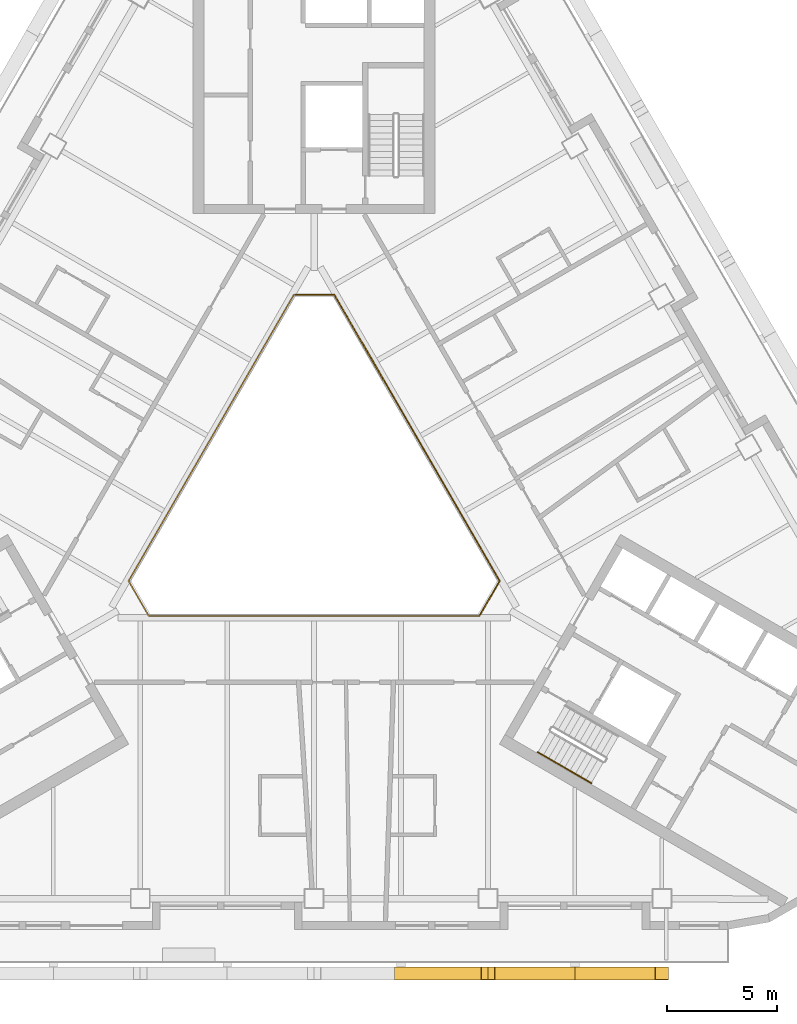
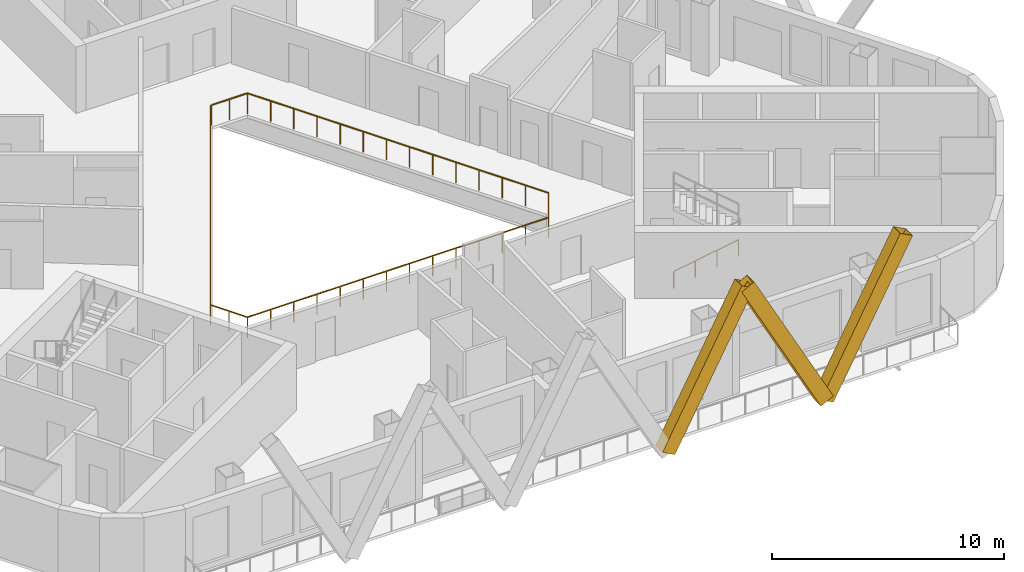
# One storey, part 11 of 14: 3 railings, 3 shading devices.
"""IFC4 building model written with IfcOpenShell, lengths in metres."""

from ifc_helpers import new_model, si_unit, direction, frame, origin, origin_2d, place, context, subcontext, project, spatial, rectangle, hollow_rectangle, circle, extrude, material, material_profile, profile_set, type_object, element, save


model = new_model("IFC4")

# Units and contexts
model_context = context("Model", 3, precision=1e-05, world=origin(), true_north=direction((0.0, 1.0)))
body_context = subcontext(model_context, "Body", "Model", "MODEL_VIEW")
ifc_project = project(units=[si_unit("LENGTHUNIT", "METRE"), si_unit("AREAUNIT", "SQUARE_METRE"), si_unit("VOLUMEUNIT", "CUBIC_METRE"), si_unit("PLANEANGLEUNIT", "RADIAN"), si_unit("MASSUNIT", "GRAM", prefix="KILO")], contexts=[model_context])

# Site, building, storey
site_placement = place(None, origin())
site = spatial("IfcSite", under=ifc_project, at=site_placement, CompositionType="ELEMENT")
building_placement = place(site_placement, origin())
building = spatial("IfcBuilding", under=site, at=building_placement, Name="Apuvela Tower Hotel", CompositionType="ELEMENT")
storey_placement = place(building_placement, frame((0.0, 0.0, 113.10009765625)))
storey = spatial("IfcBuildingStorey", under=building, at=storey_placement, Name="L26", CompositionType="ELEMENT", Elevation=113.10009765625)

# Railing
ifc_material_1 = material(Name="Stainless steel 316 handrail", Category="steel")
railing_type_1 = type_object("IfcRailingType", Name="COR-HANDRAIL-900", PredefinedType="HANDRAIL", material=ifc_material_1)
railing_1_placement = place(storey_placement, frame((10.1689453125, -11.5869140625, 0.16796875)))
element("IfcRailing", 1, at=railing_1_placement, inside=storey, type_object=railing_type_1, Name="L26 ST3 stair handrail 1", PredefinedType="HANDRAIL", context=body_context, shape_type="SweptSolid", body=[
    extrude(circle(Radius=0.02392578125, at=origin_2d()), frame((0.0, 0.0, 0.8759765625), z_axis=(0.742390482028, -0.42860119049, 0.514934356695), x_axis=(0.49998411664, 0.866034573852, 0.0)), (0.0, 0.0, 1.0), 3.26611328125),
    extrude(rectangle(XDim=0.0419921875, YDim=0.0419921875, at=origin_2d()), origin(), (0.0, 0.0, 1.0), 0.851806640625),
    extrude(rectangle(XDim=0.0419921875, YDim=0.0419921875, at=origin_2d()), frame((0.808349609375, -0.466552734375, 0.560546875)), (0.0, 0.0, 1.0), 0.851806640625),
    extrude(rectangle(XDim=0.0419921875, YDim=0.0419921875, at=origin_2d()), frame((1.616455078125, -0.933349609375, 1.121337890625)), (0.0, 0.0, 1.0), 0.851806640625),
    extrude(rectangle(XDim=0.0419921875, YDim=0.0419921875, at=origin_2d()), frame((2.4248046875, -1.39990234375, 1.681884765625)), (0.0, 0.0, 1.0), 0.851806640625),
])

# Shading devices
ifc_material_2 = material(Name="Aluminium 6063-T6, black anodised", Category="aluminium")
ifc_material_profile = material_profile(ifc_material_2, hollow_rectangle(XDim=0.60009765625, YDim=0.699951171875, WallThickness=0.011962890625, at=origin_2d()), Name="AL BOX 700x600x12")
ifc_profile_set = profile_set([ifc_material_profile], Name="Aluminium 6063-T6, black anodised")
shading_device_type = type_object("IfcShadingDeviceType", Name="ENV-FIN-700x600", PredefinedType="USERDEFINED", material=ifc_profile_set)
for number, where, z_axis, x_axis, name in (
    (2, (3.949951171875, -21.6298828125, -0.10009765625), (0.470897892863, 0.0, 0.882187720668), (0.0, 1.0, 0.0), "Lattice fin S174"),
    (3, (11.85009765625, -21.6298828125, -0.10009765625), (-0.470920543904, 0.0, 0.882175629526), (0.0, -1.0, 0.0), "Lattice fin S175"),
    (4, (11.85009765625, -21.6298828125, -0.10009765625), (0.470897892863, 0.0, 0.882187720668), (0.0, 1.0, 0.0), "Lattice fin S176"),
):
    element("IfcShadingDevice", number, at=place(storey_placement, frame(where, z_axis=z_axis, x_axis=x_axis)), inside=storey, type_object=shading_device_type, Name=name, ObjectType="FIN", PredefinedType="USERDEFINED", context=body_context, shape_type="SweptSolid", body=[
        extrude(hollow_rectangle(XDim=0.60009765625, YDim=0.699951171875, WallThickness=0.011962890625, at=origin_2d()), origin(), (0.0, 0.0, 1.0), 8.38818359375),
    ])

# Railings
ifc_material_3 = material(Name="Stainless steel 316 rail with laminated glass infill", Category="steel")
railing_type_2 = type_object("IfcRailingType", Name="ENV-GUARD-1100", PredefinedType="GUARDRAIL", material=ifc_material_3)
railing_2_placement = place(storey_placement, frame((-0.923828125, 9.199951171875, 0.0)))
element("IfcRailing", 5, at=railing_2_placement, inside=storey, type_object=railing_type_2, Name="Atrium void guard A L26", PredefinedType="GUARDRAIL", context=body_context, shape_type="SweptSolid", body=[
    extrude(rectangle(XDim=0.050048828125, YDim=0.050048828125, at=origin_2d()), frame((0.0, 0.0, 1.0751953125), z_axis=(-0.499990886379, -0.866030665472, 0.0), x_axis=(0.866030665472, -0.499990886379, 0.0)), (0.0, 0.0, 1.0), 15.010986328125),
    extrude(rectangle(XDim=0.050048828125, YDim=0.050048828125, at=origin_2d()), frame((-7.50537109375, -13.0, 1.0751953125), z_axis=(0.499962699187, -0.866046938348, 0.0), x_axis=(0.866046938348, 0.499962699187, 0.0)), (0.0, 0.0, 1.0), 1.847412109375),
    extrude(rectangle(XDim=0.050048828125, YDim=0.050048828125, at=origin_2d()), frame((-6.581787109375, -14.599853515625, 1.0751953125), z_axis=(1.0, 0.0, 0.0), x_axis=(0.0, 1.0, 0.0)), (0.0, 0.0, 1.0), 15.01123046875),
    extrude(rectangle(XDim=0.0400390625, YDim=0.0400390625, at=origin_2d()), origin(), (0.0, 0.0, 1.0), 1.050048828125),
    extrude(rectangle(XDim=0.0400390625, YDim=0.0400390625, at=origin_2d()), frame((-0.577392578125, -1.0, 0.0)), (0.0, 0.0, 1.0), 1.050048828125),
    extrude(rectangle(XDim=0.0400390625, YDim=0.0400390625, at=origin_2d()), frame((-1.15478515625, -2.0, 0.0)), (0.0, 0.0, 1.0), 1.050048828125),
    extrude(rectangle(XDim=0.0400390625, YDim=0.0400390625, at=origin_2d()), frame((-1.73193359375, -3.0, 0.0)), (0.0, 0.0, 1.0), 1.050048828125),
    extrude(rectangle(XDim=0.0400390625, YDim=0.0400390625, at=origin_2d()), frame((-2.309326171875, -4.0, 0.0)), (0.0, 0.0, 1.0), 1.050048828125),
    extrude(rectangle(XDim=0.0400390625, YDim=0.0400390625, at=origin_2d()), frame((-2.88671875, -5.0, 0.0)), (0.0, 0.0, 1.0), 1.050048828125),
    extrude(rectangle(XDim=0.0400390625, YDim=0.0400390625, at=origin_2d()), frame((-3.464111328125, -6.0, 0.0)), (0.0, 0.0, 1.0), 1.050048828125),
    extrude(rectangle(XDim=0.0400390625, YDim=0.0400390625, at=origin_2d()), frame((-4.041259765625, -7.0, 0.0)), (0.0, 0.0, 1.0), 1.050048828125),
    extrude(rectangle(XDim=0.0400390625, YDim=0.0400390625, at=origin_2d()), frame((-4.61865234375, -8.0, 0.0)), (0.0, 0.0, 1.0), 1.050048828125),
    extrude(rectangle(XDim=0.0400390625, YDim=0.0400390625, at=origin_2d()), frame((-5.196044921875, -9.0, 0.0)), (0.0, 0.0, 1.0), 1.050048828125),
    extrude(rectangle(XDim=0.0400390625, YDim=0.0400390625, at=origin_2d()), frame((-5.7734375, -10.0, 0.0)), (0.0, 0.0, 1.0), 1.050048828125),
    extrude(rectangle(XDim=0.0400390625, YDim=0.0400390625, at=origin_2d()), frame((-6.3505859375, -11.0, 0.0)), (0.0, 0.0, 1.0), 1.050048828125),
    extrude(rectangle(XDim=0.0400390625, YDim=0.0400390625, at=origin_2d()), frame((-6.927978515625, -12.0, 0.0)), (0.0, 0.0, 1.0), 1.050048828125),
    extrude(rectangle(XDim=0.0400390625, YDim=0.0400390625, at=origin_2d()), frame((-7.50537109375, -13.0, 0.0)), (0.0, 0.0, 1.0), 1.050048828125),
    extrude(rectangle(XDim=0.0400390625, YDim=0.0400390625, at=origin_2d()), frame((-7.04345703125, -13.7998046875, 0.0)), (0.0, 0.0, 1.0), 1.050048828125),
    extrude(rectangle(XDim=0.0400390625, YDim=0.0400390625, at=origin_2d()), frame((-6.581787109375, -14.599853515625, 0.0)), (0.0, 0.0, 1.0), 1.050048828125),
    extrude(rectangle(XDim=0.0400390625, YDim=0.0400390625, at=origin_2d()), frame((-5.427001953125, -14.599853515625, 0.0)), (0.0, 0.0, 1.0), 1.050048828125),
    extrude(rectangle(XDim=0.0400390625, YDim=0.0400390625, at=origin_2d()), frame((-4.2724609375, -14.599853515625, 0.0)), (0.0, 0.0, 1.0), 1.050048828125),
    extrude(rectangle(XDim=0.0400390625, YDim=0.0400390625, at=origin_2d()), frame((-3.11767578125, -14.599853515625, 0.0)), (0.0, 0.0, 1.0), 1.050048828125),
    extrude(rectangle(XDim=0.0400390625, YDim=0.0400390625, at=origin_2d()), frame((-1.962890625, -14.599853515625, 0.0)), (0.0, 0.0, 1.0), 1.050048828125),
    extrude(rectangle(XDim=0.0400390625, YDim=0.0400390625, at=origin_2d()), frame((-0.808349609375, -14.599853515625, 0.0)), (0.0, 0.0, 1.0), 1.050048828125),
    extrude(rectangle(XDim=0.0400390625, YDim=0.0400390625, at=origin_2d()), frame((0.346435546875, -14.599853515625, 0.0)), (0.0, 0.0, 1.0), 1.050048828125),
    extrude(rectangle(XDim=0.0400390625, YDim=0.0400390625, at=origin_2d()), frame((1.501220703125, -14.599853515625, 0.0)), (0.0, 0.0, 1.0), 1.050048828125),
    extrude(rectangle(XDim=0.0400390625, YDim=0.0400390625, at=origin_2d()), frame((2.656005859375, -14.599853515625, 0.0)), (0.0, 0.0, 1.0), 1.050048828125),
    extrude(rectangle(XDim=0.0400390625, YDim=0.0400390625, at=origin_2d()), frame((3.810546875, -14.599853515625, 0.0)), (0.0, 0.0, 1.0), 1.050048828125),
    extrude(rectangle(XDim=0.0400390625, YDim=0.0400390625, at=origin_2d()), frame((4.96533203125, -14.599853515625, 0.0)), (0.0, 0.0, 1.0), 1.050048828125),
    extrude(rectangle(XDim=0.0400390625, YDim=0.0400390625, at=origin_2d()), frame((6.1201171875, -14.599853515625, 0.0)), (0.0, 0.0, 1.0), 1.050048828125),
    extrude(rectangle(XDim=0.0400390625, YDim=0.0400390625, at=origin_2d()), frame((7.274658203125, -14.599853515625, 0.0)), (0.0, 0.0, 1.0), 1.050048828125),
    extrude(rectangle(XDim=0.0400390625, YDim=0.0400390625, at=origin_2d()), frame((8.429443359375, -14.599853515625, 0.0)), (0.0, 0.0, 1.0), 1.050048828125),
])
railing_3_placement = place(storey_placement, frame((7.53564453125, -5.347900390625, 0.0)))
element("IfcRailing", 6, at=railing_3_placement, inside=storey, type_object=railing_type_2, Name="Atrium void guard B L26", PredefinedType="GUARDRAIL", context=body_context, shape_type="SweptSolid", body=[
    extrude(rectangle(XDim=0.050048828125, YDim=0.050048828125, at=origin_2d()), frame((0.0, 0.0, 1.0751953125), z_axis=(0.499958946799, 0.866049104564, 0.0), x_axis=(-0.866049104564, 0.499958946799, 0.0)), (0.0, 0.0, 1.0), 1.787353515625),
    extrude(rectangle(XDim=0.050048828125, YDim=0.050048828125, at=origin_2d()), frame((0.8935546875, 1.5478515625, 1.0751953125), z_axis=(-0.499990886379, 0.866030665472, 0.0), x_axis=(-0.866030665472, -0.499990886379, 0.0)), (0.0, 0.0, 1.0), 15.010986328125),
    extrude(rectangle(XDim=0.050048828125, YDim=0.050048828125, at=origin_2d()), frame((-6.61181640625, 14.5478515625, 1.0751953125), z_axis=(-1.0, 0.0, 0.0), x_axis=(0.0, -1.0, 0.0)), (0.0, 0.0, 1.0), 1.78759765625),
    extrude(rectangle(XDim=0.0400390625, YDim=0.0400390625, at=origin_2d()), origin(), (0.0, 0.0, 1.0), 1.050048828125),
    extrude(rectangle(XDim=0.0400390625, YDim=0.0400390625, at=origin_2d()), frame((0.44677734375, 0.77392578125, 0.0)), (0.0, 0.0, 1.0), 1.050048828125),
    extrude(rectangle(XDim=0.0400390625, YDim=0.0400390625, at=origin_2d()), frame((0.8935546875, 1.5478515625, 0.0)), (0.0, 0.0, 1.0), 1.050048828125),
    extrude(rectangle(XDim=0.0400390625, YDim=0.0400390625, at=origin_2d()), frame((0.316162109375, 2.5478515625, 0.0)), (0.0, 0.0, 1.0), 1.050048828125),
    extrude(rectangle(XDim=0.0400390625, YDim=0.0400390625, at=origin_2d()), frame((-0.26123046875, 3.5478515625, 0.0)), (0.0, 0.0, 1.0), 1.050048828125),
    extrude(rectangle(XDim=0.0400390625, YDim=0.0400390625, at=origin_2d()), frame((-0.83837890625, 4.5478515625, 0.0)), (0.0, 0.0, 1.0), 1.050048828125),
    extrude(rectangle(XDim=0.0400390625, YDim=0.0400390625, at=origin_2d()), frame((-1.415771484375, 5.5478515625, 0.0)), (0.0, 0.0, 1.0), 1.050048828125),
    extrude(rectangle(XDim=0.0400390625, YDim=0.0400390625, at=origin_2d()), frame((-1.9931640625, 6.5478515625, 0.0)), (0.0, 0.0, 1.0), 1.050048828125),
    extrude(rectangle(XDim=0.0400390625, YDim=0.0400390625, at=origin_2d()), frame((-2.570556640625, 7.5478515625, 0.0)), (0.0, 0.0, 1.0), 1.050048828125),
    extrude(rectangle(XDim=0.0400390625, YDim=0.0400390625, at=origin_2d()), frame((-3.147705078125, 8.5478515625, 0.0)), (0.0, 0.0, 1.0), 1.050048828125),
    extrude(rectangle(XDim=0.0400390625, YDim=0.0400390625, at=origin_2d()), frame((-3.72509765625, 9.5478515625, 0.0)), (0.0, 0.0, 1.0), 1.050048828125),
    extrude(rectangle(XDim=0.0400390625, YDim=0.0400390625, at=origin_2d()), frame((-4.302490234375, 10.5478515625, 0.0)), (0.0, 0.0, 1.0), 1.050048828125),
    extrude(rectangle(XDim=0.0400390625, YDim=0.0400390625, at=origin_2d()), frame((-4.8798828125, 11.5478515625, 0.0)), (0.0, 0.0, 1.0), 1.050048828125),
    extrude(rectangle(XDim=0.0400390625, YDim=0.0400390625, at=origin_2d()), frame((-5.45703125, 12.5478515625, 0.0)), (0.0, 0.0, 1.0), 1.050048828125),
    extrude(rectangle(XDim=0.0400390625, YDim=0.0400390625, at=origin_2d()), frame((-6.034423828125, 13.5478515625, 0.0)), (0.0, 0.0, 1.0), 1.050048828125),
    extrude(rectangle(XDim=0.0400390625, YDim=0.0400390625, at=origin_2d()), frame((-6.61181640625, 14.5478515625, 0.0)), (0.0, 0.0, 1.0), 1.050048828125),
    extrude(rectangle(XDim=0.0400390625, YDim=0.0400390625, at=origin_2d()), frame((-7.505615234375, 14.5478515625, 0.0)), (0.0, 0.0, 1.0), 1.050048828125),
    extrude(rectangle(XDim=0.0400390625, YDim=0.0400390625, at=origin_2d()), frame((-8.3994140625, 14.5478515625, 0.0)), (0.0, 0.0, 1.0), 1.050048828125),
])

save(model, "model.ifc")
